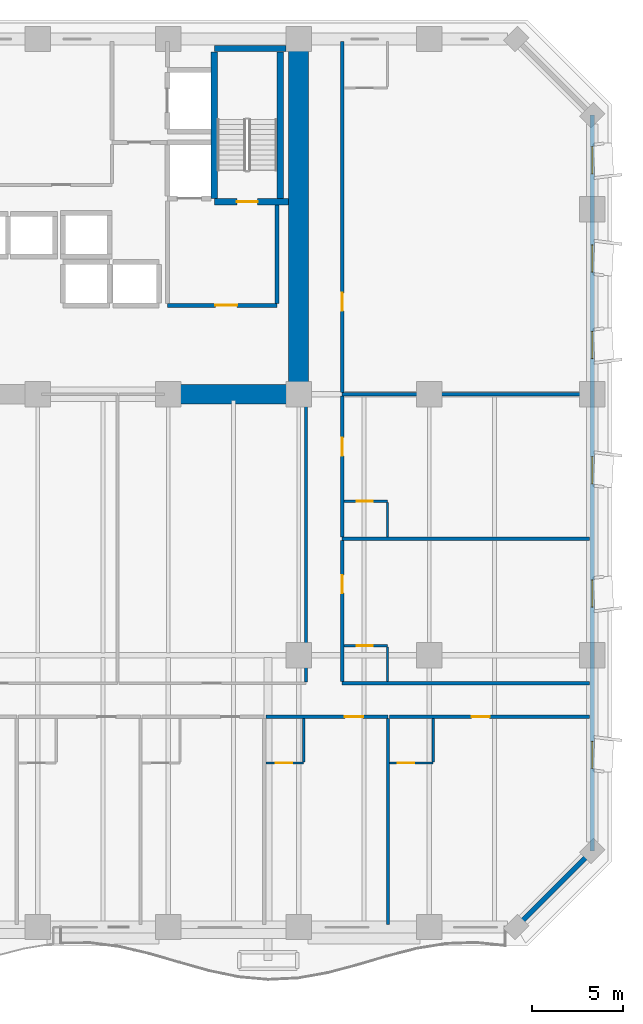
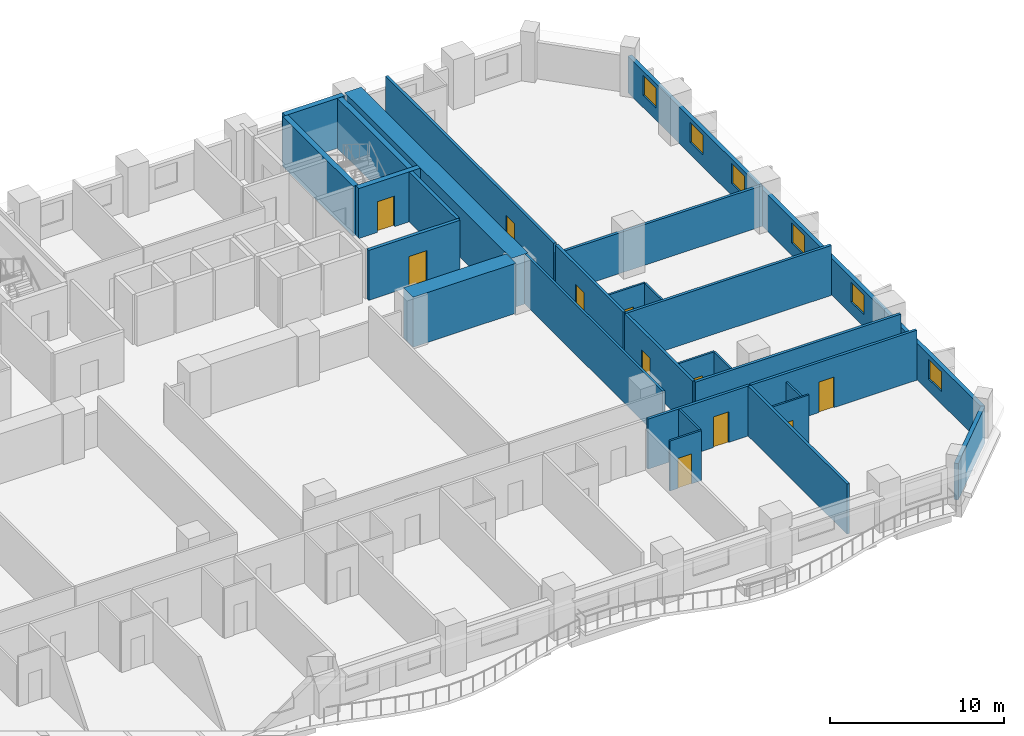
# One storey, part 10 of 15: 28 walls, 11 doors, 6 windows, 17 openings.
"""IFC4 building model written with IfcOpenShell, lengths in metres."""

from ifc_helpers import new_model, si_unit, direction, frame, frame_2d, origin, place, context, subcontext, project, spatial, rectangle, extrude, material, layer, layer_set, type_object, element, fill, save


model = new_model("IFC4")

# Units and contexts
model_context = context("Model", 3, precision=1e-05, world=origin(), true_north=direction((0.0, 1.0)))
body_context = subcontext(model_context, "Body", "Model", "MODEL_VIEW")
ifc_project = project(units=[si_unit("LENGTHUNIT", "METRE"), si_unit("AREAUNIT", "SQUARE_METRE"), si_unit("VOLUMEUNIT", "CUBIC_METRE"), si_unit("PLANEANGLEUNIT", "RADIAN"), si_unit("MASSUNIT", "GRAM", prefix="KILO")], contexts=[model_context])

# Site, building, storey
site_placement = place(None, origin())
site = spatial("IfcSite", under=ifc_project, at=site_placement, CompositionType="ELEMENT")
building_placement = place(site_placement, origin())
building = spatial("IfcBuilding", under=site, at=building_placement, Name="Kaelvorn Grand Hotel", CompositionType="ELEMENT")
storey_placement = place(building_placement, frame((0.0, 0.0, 50.14990234375)))
storey = spatial("IfcBuildingStorey", under=building, at=storey_placement, Name="L10", CompositionType="ELEMENT", Elevation=50.14990234375)

# Walls
ifc_material_1 = material(Name="Concrete C80/95", Category="concrete")
ifc_layer_1 = layer(ifc_material_1, 1.10009765625)
ifc_layer_set_1 = layer_set([ifc_layer_1], Name="Concrete C80/95")
wall_type_1 = type_object("IfcWallType", Name="WL-CORE-1100-C80", PredefinedType="SHEAR", material=ifc_layer_set_1)
wall_1_placement = place(storey_placement, frame((67.800048828125, 29.39990234375, 0.0), z_axis=(0.0, 0.0, 1.0), x_axis=(0.0, 1.0, 0.0)))
element("IfcWall", 1, at=wall_1_placement, inside=storey, type_object=wall_type_1, Name="L10 Rear-Core East Shear Wall", PredefinedType="SHEAR", context=body_context, shape_type="SweptSolid", body=[
    extrude(rectangle(XDim=19.2001953125, YDim=1.10009765625, at=frame_2d((9.60009765625, 0.0))), origin(), (0.0, 0.0, 1.0), 3.510009765625),
])
wall_2_placement = place(storey_placement, frame((60.39990234375, 29.39990234375, 0.0), z_axis=(0.0, 0.0, 1.0), x_axis=(1.0, 0.0, 0.0)))
element("IfcWall", 2, at=wall_2_placement, inside=storey, type_object=wall_type_1, Name="L10 Rear-Core Coupled Shear Pier S4", PredefinedType="SHEAR", context=body_context, shape_type="SweptSolid", body=[
    extrude(rectangle(XDim=6.84521484375, YDim=1.10009765625, at=frame_2d((3.422607421875, 0.0))), origin(), (0.0, 0.0, 1.0), 3.510009765625),
])
ifc_material_2 = material(Name="Concrete C40/50", Category="concrete")
ifc_layer_2 = layer(ifc_material_2, 0.260009765625)
ifc_layer_set_2 = layer_set([ifc_layer_2], Name="Concrete C40/50")
wall_type_2 = type_object("IfcWallType", Name="WL-EXT-260-C40", PredefinedType="SOLIDWALL", material=ifc_layer_set_2)
wall_3_placement = place(storey_placement, frame((79.800048828125, 0.0, 0.0), z_axis=(0.0, 0.0, 1.0), x_axis=(0.707106781187, 0.707106781187, 0.0)))
element("IfcWall", 3, at=wall_3_placement, inside=storey, type_object=wall_type_2, Name="L10 Exterior Architectural Concrete Wall 02", PredefinedType="SOLIDWALL", context=body_context, shape_type="SweptSolid", body=[
    extrude(rectangle(XDim=5.939697265625, YDim=0.260009765625, at=frame_2d((2.9697265625, 0.0))), origin(), (0.0, 0.0, 1.0), 2.56005859375),
])

# Wall, openings, windows
wall_4_placement = place(storey_placement, frame((84.0, 4.199951171875, 0.0), z_axis=(0.0, 0.0, 1.0), x_axis=(0.0, 1.0, 0.0)))
wall_4 = element("IfcWall", 4, at=wall_4_placement, inside=storey, type_object=wall_type_2, Name="L10 Exterior Architectural Concrete Wall 03", PredefinedType="SOLIDWALL", context=body_context, shape_type="SweptSolid", body=[
    extrude(rectangle(XDim=40.60009765625, YDim=0.260009765625, at=frame_2d((20.300048828125, 0.0))), origin(), (0.0, 0.0, 1.0), 2.56005859375),
])
opening_1_placement = place(wall_4_placement, frame((4.550048828125, 0.0, 0.85009765625)))
opening_1 = element("IfcOpeningElement", 5, at=opening_1_placement, cuts=wall_4, Name="Opening W10", PredefinedType="OPENING", context=body_context, shape_type="SweptSolid", body=[
    extrude(rectangle(XDim=1.5, YDim=1.39990234375, at=frame_2d((0.75, 0.699951171875))), frame((0.0, 0.14013671875, 0.0), z_axis=(0.0, -1.0, 0.0), x_axis=(1.0, 0.0, 0.0)), (0.0, 0.0, 1.0), 0.280029296875),
])
opening_2_placement = place(wall_4_placement, frame((13.4599609375, 0.0, 0.85009765625)))
opening_2 = element("IfcOpeningElement", 6, at=opening_2_placement, cuts=wall_4, Name="Opening W10", PredefinedType="OPENING", context=body_context, shape_type="SweptSolid", body=[
    extrude(rectangle(XDim=1.5, YDim=1.39990234375, at=frame_2d((0.75, 0.699951171875))), frame((0.0, 0.14013671875, 0.0), z_axis=(0.0, -1.0, 0.0), x_axis=(1.0, 0.0, 0.0)), (0.0, 0.0, 1.0), 0.280029296875),
])
opening_3_placement = place(wall_4_placement, frame((20.260009765625, 0.0, 0.85009765625)))
opening_3 = element("IfcOpeningElement", 7, at=opening_3_placement, cuts=wall_4, Name="Opening W10", PredefinedType="OPENING", context=body_context, shape_type="SweptSolid", body=[
    extrude(rectangle(XDim=1.5, YDim=1.39990234375, at=frame_2d((0.75, 0.699951171875))), frame((0.0, 0.14013671875, 0.0), z_axis=(0.0, -1.0, 0.0), x_axis=(1.0, 0.0, 0.0)), (0.0, 0.0, 1.0), 0.280029296875),
])
opening_4_placement = place(wall_4_placement, frame((27.1650390625, 0.0, 0.85009765625)))
opening_4 = element("IfcOpeningElement", 8, at=opening_4_placement, cuts=wall_4, Name="Opening W10", PredefinedType="OPENING", context=body_context, shape_type="SweptSolid", body=[
    extrude(rectangle(XDim=1.5, YDim=1.39990234375, at=frame_2d((0.75, 0.699951171875))), frame((0.0, 0.14013671875, 0.0), z_axis=(0.0, -1.0, 0.0), x_axis=(1.0, 0.0, 0.0)), (0.0, 0.0, 1.0), 0.280029296875),
])
opening_5_placement = place(wall_4_placement, frame((31.93505859375, 0.0, 0.85009765625)))
opening_5 = element("IfcOpeningElement", 9, at=opening_5_placement, cuts=wall_4, Name="Opening W10", PredefinedType="OPENING", context=body_context, shape_type="SweptSolid", body=[
    extrude(rectangle(XDim=1.5, YDim=1.39990234375, at=frame_2d((0.75, 0.699951171875))), frame((0.0, 0.14013671875, 0.0), z_axis=(0.0, -1.0, 0.0), x_axis=(1.0, 0.0, 0.0)), (0.0, 0.0, 1.0), 0.280029296875),
])
opening_6_placement = place(wall_4_placement, frame((37.364990234375, 0.0, 0.85009765625)))
opening_6 = element("IfcOpeningElement", 10, at=opening_6_placement, cuts=wall_4, Name="Opening W10", PredefinedType="OPENING", context=body_context, shape_type="SweptSolid", body=[
    extrude(rectangle(XDim=1.5, YDim=1.39990234375, at=frame_2d((0.75, 0.699951171875))), frame((0.0, 0.14013671875, 0.0), z_axis=(0.0, -1.0, 0.0), x_axis=(1.0, 0.0, 0.0)), (0.0, 0.0, 1.0), 0.280029296875),
])
ifc_material_3 = material(Name="Laminated Low-E Glass", Category="glass")
window_type = type_object("IfcWindowType", Name="WIN-COR-1500x1400", PartitioningType="SINGLE_PANEL", PredefinedType="WINDOW", material=ifc_material_3)
window_1_placement = place(opening_1_placement, origin())
window_1 = element("IfcWindow", 11, at=window_1_placement, inside=storey, type_object=window_type, Name="L10 E Wing Tilted-Frame Ribbon Window E01", OverallHeight=1.39990234375, OverallWidth=1.5, PartitioningType="SINGLE_PANEL", PredefinedType="WINDOW", context=body_context, shape_type="SweptSolid", body=[
    extrude(rectangle(XDim=1.5, YDim=1.39990234375, at=frame_2d((0.75, 0.699951171875))), frame((0.0, 0.030029296875, 0.0), z_axis=(0.0, -1.0, 0.0), x_axis=(1.0, 0.0, 0.0)), (0.0, 0.0, 1.0), 0.06005859375),
])
fill(opening_1, window_1)
window_2_placement = place(opening_2_placement, origin())
window_2 = element("IfcWindow", 12, at=window_2_placement, inside=storey, type_object=window_type, Name="L10 E Wing Tilted-Frame Ribbon Window E02", OverallHeight=1.39990234375, OverallWidth=1.5, PartitioningType="SINGLE_PANEL", PredefinedType="WINDOW", context=body_context, shape_type="SweptSolid", body=[
    extrude(rectangle(XDim=1.5, YDim=1.39990234375, at=frame_2d((0.75, 0.699951171875))), frame((0.0, 0.030029296875, 0.0), z_axis=(0.0, -1.0, 0.0), x_axis=(1.0, 0.0, 0.0)), (0.0, 0.0, 1.0), 0.06005859375),
])
fill(opening_2, window_2)
window_3_placement = place(opening_3_placement, origin())
window_3 = element("IfcWindow", 13, at=window_3_placement, inside=storey, type_object=window_type, Name="L10 E Wing Tilted-Frame Ribbon Window E03", OverallHeight=1.39990234375, OverallWidth=1.5, PartitioningType="SINGLE_PANEL", PredefinedType="WINDOW", context=body_context, shape_type="SweptSolid", body=[
    extrude(rectangle(XDim=1.5, YDim=1.39990234375, at=frame_2d((0.75, 0.699951171875))), frame((0.0, 0.030029296875, 0.0), z_axis=(0.0, -1.0, 0.0), x_axis=(1.0, 0.0, 0.0)), (0.0, 0.0, 1.0), 0.06005859375),
])
fill(opening_3, window_3)
window_4_placement = place(opening_4_placement, origin())
window_4 = element("IfcWindow", 14, at=window_4_placement, inside=storey, type_object=window_type, Name="L10 E Wing Tilted-Frame Ribbon Window E04", OverallHeight=1.39990234375, OverallWidth=1.5, PartitioningType="SINGLE_PANEL", PredefinedType="WINDOW", context=body_context, shape_type="SweptSolid", body=[
    extrude(rectangle(XDim=1.5, YDim=1.39990234375, at=frame_2d((0.75, 0.699951171875))), frame((0.0, 0.030029296875, 0.0), z_axis=(0.0, -1.0, 0.0), x_axis=(1.0, 0.0, 0.0)), (0.0, 0.0, 1.0), 0.06005859375),
])
fill(opening_4, window_4)
window_5_placement = place(opening_5_placement, origin())
window_5 = element("IfcWindow", 15, at=window_5_placement, inside=storey, type_object=window_type, Name="L10 E Wing Tilted-Frame Ribbon Window E05", OverallHeight=1.39990234375, OverallWidth=1.5, PartitioningType="SINGLE_PANEL", PredefinedType="WINDOW", context=body_context, shape_type="SweptSolid", body=[
    extrude(rectangle(XDim=1.5, YDim=1.39990234375, at=frame_2d((0.75, 0.699951171875))), frame((0.0, 0.030029296875, 0.0), z_axis=(0.0, -1.0, 0.0), x_axis=(1.0, 0.0, 0.0)), (0.0, 0.0, 1.0), 0.06005859375),
])
fill(opening_5, window_5)
window_6_placement = place(opening_6_placement, origin())
window_6 = element("IfcWindow", 16, at=window_6_placement, inside=storey, type_object=window_type, Name="L10 E Wing Tilted-Frame Ribbon Window E06", OverallHeight=1.39990234375, OverallWidth=1.5, PartitioningType="SINGLE_PANEL", PredefinedType="WINDOW", context=body_context, shape_type="SweptSolid", body=[
    extrude(rectangle(XDim=1.5, YDim=1.39990234375, at=frame_2d((0.75, 0.699951171875))), frame((0.0, 0.030029296875, 0.0), z_axis=(0.0, -1.0, 0.0), x_axis=(1.0, 0.0, 0.0)), (0.0, 0.0, 1.0), 0.06005859375),
])
fill(opening_6, window_6)

# Wall, opening, door
ifc_material_4 = material(Name="Moisture-Resistant Tile & Stud Board")
ifc_layer_3 = layer(ifc_material_4, 0.125)
ifc_layer_set_3 = layer_set([ifc_layer_3], Name="Moisture-Resistant Tile & Stud Board")
wall_type_3 = type_object("IfcWallType", Name="WL-PART-125-WET", PredefinedType="PARTITIONING", material=ifc_layer_set_3)
wall_5_placement = place(storey_placement, frame((65.990478515625, 9.050048828125, 0.0), z_axis=(0.0, 0.0, 1.0), x_axis=(1.0, 0.0, 0.0)))
wall_5 = element("IfcWall", 17, at=wall_5_placement, inside=storey, type_object=wall_type_3, Name="L10 En-suite Bathroom L10-10 S Partition", PredefinedType="PARTITIONING", context=body_context, shape_type="SweptSolid", body=[
    extrude(rectangle(XDim=2.0849609375, YDim=0.125, at=frame_2d((1.04248046875, 0.0))), origin(), (0.0, 0.0, 1.0), 3.510009765625),
])
opening_7_placement = place(wall_5_placement, frame((0.544921875, 0.0, 0.0)))
opening_7 = element("IfcOpeningElement", 18, at=opening_7_placement, cuts=wall_5, Name="Opening DI4", PredefinedType="OPENING", context=body_context, shape_type="SweptSolid", body=[
    extrude(rectangle(XDim=0.89990234375, YDim=2.10009765625, at=frame_2d((0.449951171875, 1.050048828125))), frame((0.0, 0.072509765625, 0.0), z_axis=(0.0, -1.0, 0.0), x_axis=(1.0, 0.0, 0.0)), (0.0, 0.0, 1.0), 0.14501953125),
])
ifc_material_5 = material(Name="Timber Veneer Leaf", Category="wood")
door_type_1 = type_object("IfcDoorType", Name="DR-INT-BATH-900x2100", OperationType="NOTDEFINED", PredefinedType="DOOR", material=ifc_material_5)
door_1_placement = place(opening_7_placement, origin())
door_1 = element("IfcDoor", 19, at=door_1_placement, inside=storey, type_object=door_type_1, Name="L10 En-suite Bathroom L10-10 Door", OperationType="SINGLE_SWING_LEFT", OverallHeight=2.10009765625, OverallWidth=0.89990234375, PredefinedType="DOOR", context=body_context, shape_type="SweptSolid", body=[
    extrude(rectangle(XDim=0.89990234375, YDim=2.10009765625, at=frame_2d((0.449951171875, 1.050048828125))), frame((0.0, 0.02490234375, 0.0), z_axis=(0.0, -1.0, 0.0), x_axis=(1.0, 0.0, 0.0)), (0.0, 0.0, 1.0), 0.050048828125),
])
fill(opening_7, door_1)

# Wall
wall_6_placement = place(storey_placement, frame((68.075439453125, 9.117431640625, 0.0), z_axis=(0.0, 0.0, 1.0), x_axis=(0.0, 1.0, 0.0)))
element("IfcWall", 20, at=wall_6_placement, inside=storey, type_object=wall_type_3, Name="L10 En-suite Bathroom L10-10 E Partition", PredefinedType="PARTITIONING", context=body_context, shape_type="SweptSolid", body=[
    extrude(rectangle(XDim=2.387451171875, YDim=0.125, at=frame_2d((1.19384765625, 0.0))), origin(), (0.0, 0.0, 1.0), 3.510009765625),
])

# Wall, opening, door
wall_7_placement = place(storey_placement, frame((72.817626953125, 9.050048828125, 0.0), z_axis=(0.0, 0.0, 1.0), x_axis=(1.0, 0.0, 0.0)))
wall_7 = element("IfcWall", 21, at=wall_7_placement, inside=storey, type_object=wall_type_3, Name="L10 En-suite Bathroom L10-11 S Partition", PredefinedType="PARTITIONING", context=body_context, shape_type="SweptSolid", body=[
    extrude(rectangle(XDim=2.405029296875, YDim=0.125, at=frame_2d((1.20263671875, 0.0))), origin(), (0.0, 0.0, 1.0), 3.510009765625),
])
opening_8_placement = place(wall_7_placement, frame((0.455078125, 0.0, 0.0)))
opening_8 = element("IfcOpeningElement", 22, at=opening_8_placement, cuts=wall_7, Name="Opening DI4", PredefinedType="OPENING", context=body_context, shape_type="SweptSolid", body=[
    extrude(rectangle(XDim=0.89990234375, YDim=2.10009765625, at=frame_2d((0.449951171875, 1.050048828125))), frame((0.0, 0.072509765625, 0.0), z_axis=(0.0, -1.0, 0.0), x_axis=(1.0, 0.0, 0.0)), (0.0, 0.0, 1.0), 0.14501953125),
])
door_2_placement = place(opening_8_placement, origin())
door_2 = element("IfcDoor", 23, at=door_2_placement, inside=storey, type_object=door_type_1, Name="L10 En-suite Bathroom L10-11 Door", OperationType="SINGLE_SWING_LEFT", OverallHeight=2.10009765625, OverallWidth=0.89990234375, PredefinedType="DOOR", context=body_context, shape_type="SweptSolid", body=[
    extrude(rectangle(XDim=0.89990234375, YDim=2.10009765625, at=frame_2d((0.449951171875, 1.050048828125))), frame((0.0, 0.02490234375, 0.0), z_axis=(0.0, -1.0, 0.0), x_axis=(1.0, 0.0, 0.0)), (0.0, 0.0, 1.0), 0.050048828125),
])
fill(opening_8, door_2)

# Wall
wall_8_placement = place(storey_placement, frame((75.22265625, 9.117431640625, 0.0), z_axis=(0.0, 0.0, 1.0), x_axis=(0.0, 1.0, 0.0)))
element("IfcWall", 24, at=wall_8_placement, inside=storey, type_object=wall_type_3, Name="L10 En-suite Bathroom L10-11 E Partition", PredefinedType="PARTITIONING", context=body_context, shape_type="SweptSolid", body=[
    extrude(rectangle(XDim=2.387451171875, YDim=0.125, at=frame_2d((1.19384765625, 0.0))), origin(), (0.0, 0.0, 1.0), 2.89794921875),
])

# Wall, opening, door
wall_9_placement = place(storey_placement, frame((70.294921875, 15.52001953125, 0.0), z_axis=(0.0, 0.0, 1.0), x_axis=(1.0, 0.0, 0.0)))
wall_9 = element("IfcWall", 25, at=wall_9_placement, inside=storey, type_object=wall_type_3, Name="L10 En-suite Bathroom L10-14 N Partition", PredefinedType="PARTITIONING", context=body_context, shape_type="SweptSolid", body=[
    extrude(rectangle(XDim=2.405029296875, YDim=0.125, at=frame_2d((1.20263671875, 0.0))), origin(), (0.0, 0.0, 1.0), 3.510009765625),
])
opening_9_placement = place(wall_9_placement, frame((0.705078125, 0.0, 0.0)))
opening_9 = element("IfcOpeningElement", 26, at=opening_9_placement, cuts=wall_9, Name="Opening DI4", PredefinedType="OPENING", context=body_context, shape_type="SweptSolid", body=[
    extrude(rectangle(XDim=0.89990234375, YDim=2.10009765625, at=frame_2d((0.449951171875, 1.050048828125))), frame((0.0, 0.072509765625, 0.0), z_axis=(0.0, -1.0, 0.0), x_axis=(1.0, 0.0, 0.0)), (0.0, 0.0, 1.0), 0.14501953125),
])
door_3_placement = place(opening_9_placement, origin())
door_3 = element("IfcDoor", 27, at=door_3_placement, inside=storey, type_object=door_type_1, Name="L10 En-suite Bathroom L10-14 Door", OperationType="SINGLE_SWING_LEFT", OverallHeight=2.10009765625, OverallWidth=0.89990234375, PredefinedType="DOOR", context=body_context, shape_type="SweptSolid", body=[
    extrude(rectangle(XDim=0.89990234375, YDim=2.10009765625, at=frame_2d((0.449951171875, 1.050048828125))), frame((0.0, 0.02490234375, 0.0), z_axis=(0.0, -1.0, 0.0), x_axis=(1.0, 0.0, 0.0)), (0.0, 0.0, 1.0), 0.050048828125),
])
fill(opening_9, door_3)

# Wall
wall_10_placement = place(storey_placement, frame((72.699951171875, 13.544921875, 0.0), z_axis=(0.0, 0.0, 1.0), x_axis=(0.0, 1.0, 0.0)))
element("IfcWall", 28, at=wall_10_placement, inside=storey, type_object=wall_type_3, Name="L10 En-suite Bathroom L10-14 E Partition", PredefinedType="PARTITIONING", context=body_context, shape_type="SweptSolid", body=[
    extrude(rectangle(XDim=1.907470703125, YDim=0.125, at=frame_2d((0.95361328125, 0.0))), origin(), (0.0, 0.0, 1.0), 3.510009765625),
])

# Wall, opening, door
wall_11_placement = place(storey_placement, frame((70.294921875, 23.489990234375, 0.0), z_axis=(0.0, 0.0, 1.0), x_axis=(1.0, 0.0, 0.0)))
wall_11 = element("IfcWall", 29, at=wall_11_placement, inside=storey, type_object=wall_type_3, Name="L10 En-suite Bathroom L10-15 N Partition", PredefinedType="PARTITIONING", context=body_context, shape_type="SweptSolid", body=[
    extrude(rectangle(XDim=2.405029296875, YDim=0.125, at=frame_2d((1.20263671875, 0.0))), origin(), (0.0, 0.0, 1.0), 3.510009765625),
])
opening_10_placement = place(wall_11_placement, frame((0.705078125, 0.0, 0.0)))
opening_10 = element("IfcOpeningElement", 30, at=opening_10_placement, cuts=wall_11, Name="Opening DI4", PredefinedType="OPENING", context=body_context, shape_type="SweptSolid", body=[
    extrude(rectangle(XDim=0.89990234375, YDim=2.10009765625, at=frame_2d((0.449951171875, 1.050048828125))), frame((0.0, 0.072509765625, 0.0), z_axis=(0.0, -1.0, 0.0), x_axis=(1.0, 0.0, 0.0)), (0.0, 0.0, 1.0), 0.14501953125),
])
door_4_placement = place(opening_10_placement, origin())
door_4 = element("IfcDoor", 31, at=door_4_placement, inside=storey, type_object=door_type_1, Name="L10 En-suite Bathroom L10-15 Door", OperationType="SINGLE_SWING_LEFT", OverallHeight=2.10009765625, OverallWidth=0.89990234375, PredefinedType="DOOR", context=body_context, shape_type="SweptSolid", body=[
    extrude(rectangle(XDim=0.89990234375, YDim=2.10009765625, at=frame_2d((0.449951171875, 1.050048828125))), frame((0.0, 0.02490234375, 0.0), z_axis=(0.0, -1.0, 0.0), x_axis=(1.0, 0.0, 0.0)), (0.0, 0.0, 1.0), 0.050048828125),
])
fill(opening_10, door_4)

# Walls
wall_12_placement = place(storey_placement, frame((72.699951171875, 21.514892578125, 0.0), z_axis=(0.0, 0.0, 1.0), x_axis=(0.0, 1.0, 0.0)))
element("IfcWall", 32, at=wall_12_placement, inside=storey, type_object=wall_type_3, Name="L10 En-suite Bathroom L10-15 E Partition", PredefinedType="PARTITIONING", context=body_context, shape_type="SweptSolid", body=[
    extrude(rectangle(XDim=1.90771484375, YDim=0.125, at=frame_2d((0.953857421875, 0.0))), origin(), (0.0, 0.0, 1.0), 3.510009765625),
])
ifc_material_6 = material(Name="Acoustic Gypsum & Stud Partition")
ifc_layer_4 = layer(ifc_material_6, 0.14990234375)
ifc_layer_set_4 = layer_set([ifc_layer_4], Name="Acoustic Gypsum & Stud Partition")
wall_type_4 = type_object("IfcWallType", Name="WL-PART-150-EI60", PredefinedType="PARTITIONING", material=ifc_layer_set_4)
wall_13_placement = place(storey_placement, frame((68.199951171875, 13.530029296875, 0.0), z_axis=(0.0, 0.0, 1.0), x_axis=(0.0, 1.0, 0.0)))
element("IfcWall", 33, at=wall_13_placement, inside=storey, type_object=wall_type_4, Name="L10 Concierge Admin Office E Partition", PredefinedType="PARTITIONING", context=body_context, shape_type="SweptSolid", body=[
    extrude(rectangle(XDim=15.85986328125, YDim=0.14990234375, at=frame_2d((7.929931640625, 0.0))), origin(), (0.0, 0.0, 1.0), 3.510009765625),
])

# Wall, opening, door
ifc_layer_5 = layer(ifc_material_6, 0.179931640625)
ifc_layer_set_5 = layer_set([ifc_layer_5], Name="Acoustic Gypsum & Stud Partition")
wall_type_5 = type_object("IfcWallType", Name="WL-PART-180-EI60", PredefinedType="PARTITIONING", material=ifc_layer_set_5)
wall_14_placement = place(storey_placement, frame((65.990478515625, 11.60009765625, 0.0), z_axis=(0.0, 0.0, 1.0), x_axis=(1.0, 0.0, 0.0)))
wall_14 = element("IfcWall", 34, at=wall_14_placement, inside=storey, type_object=wall_type_5, Name="L10 Deluxe Panoramic Suite L10-10 N Partition", PredefinedType="PARTITIONING", context=body_context, shape_type="SweptSolid", body=[
    extrude(rectangle(XDim=6.732177734375, YDim=0.179931640625, at=frame_2d((3.3662109375, 0.0))), origin(), (0.0, 0.0, 1.0), 3.510009765625),
])
opening_11_placement = place(wall_14_placement, frame((4.358642578125, 0.0, 0.0)))
opening_11 = element("IfcOpeningElement", 35, at=opening_11_placement, cuts=wall_14, Name="Opening DI3", PredefinedType="OPENING", context=body_context, shape_type="SweptSolid", body=[
    extrude(rectangle(XDim=1.0, YDim=2.14990234375, at=frame_2d((0.5, 1.074951171875))), frame((0.0, 0.10009765625, 0.0), z_axis=(0.0, -1.0, 0.0), x_axis=(1.0, 0.0, 0.0)), (0.0, 0.0, 1.0), 0.199951171875),
])
ifc_material_7 = material(Name="Timber Veneer Fire Leaf", Category="wood")
door_type_2 = type_object("IfcDoorType", Name="DR-INT-GUEST-1000x2150", OperationType="NOTDEFINED", PredefinedType="DOOR", material=ifc_material_7)
door_5_placement = place(opening_11_placement, origin())
door_5 = element("IfcDoor", 36, at=door_5_placement, inside=storey, type_object=door_type_2, Name="L10 Deluxe Panoramic Suite L10-10 Door", OperationType="SINGLE_SWING_RIGHT", OverallHeight=2.14990234375, OverallWidth=1.0, PredefinedType="DOOR", context=body_context, shape_type="SweptSolid", body=[
    extrude(rectangle(XDim=1.0, YDim=2.14990234375, at=frame_2d((0.5, 1.074951171875))), frame((0.0, 0.02490234375, 0.0), z_axis=(0.0, -1.0, 0.0), x_axis=(1.0, 0.0, 0.0)), (0.0, 0.0, 1.0), 0.050048828125),
])
fill(opening_11, door_5)

# Wall
wall_15_placement = place(storey_placement, frame((72.72265625, 0.14990234375, 0.0), z_axis=(0.0, 0.0, 1.0), x_axis=(0.0, 1.0, 0.0)))
element("IfcWall", 37, at=wall_15_placement, inside=storey, type_object=wall_type_5, Name="L10 Deluxe Panoramic Suite L10-10 E Partition", PredefinedType="PARTITIONING", context=body_context, shape_type="SweptSolid", body=[
    extrude(rectangle(XDim=11.35498046875, YDim=0.179931640625, at=frame_2d((5.677490234375, 0.0))), origin(), (0.0, 0.0, 1.0), 3.510009765625),
])

# Wall, opening, door
wall_16_placement = place(storey_placement, frame((72.817626953125, 11.60009765625, 0.0), z_axis=(0.0, 0.0, 1.0), x_axis=(1.0, 0.0, 0.0)))
wall_16 = element("IfcWall", 38, at=wall_16_placement, inside=storey, type_object=wall_type_5, Name="L10 Deluxe Panoramic Suite L10-11 N Partition", PredefinedType="PARTITIONING", context=body_context, shape_type="SweptSolid", body=[
    extrude(rectangle(XDim=11.032470703125, YDim=0.179931640625, at=frame_2d((5.51611328125, 0.0))), origin(), (0.0, 0.0, 1.0), 3.510009765625),
])
opening_12_placement = place(wall_16_placement, frame((4.5185546875, 0.0, 0.0)))
opening_12 = element("IfcOpeningElement", 39, at=opening_12_placement, cuts=wall_16, Name="Opening DI3", PredefinedType="OPENING", context=body_context, shape_type="SweptSolid", body=[
    extrude(rectangle(XDim=1.0, YDim=2.14990234375, at=frame_2d((0.5, 1.074951171875))), frame((0.0, 0.10009765625, 0.0), z_axis=(0.0, -1.0, 0.0), x_axis=(1.0, 0.0, 0.0)), (0.0, 0.0, 1.0), 0.199951171875),
])
door_6_placement = place(opening_12_placement, origin())
door_6 = element("IfcDoor", 40, at=door_6_placement, inside=storey, type_object=door_type_2, Name="L10 Deluxe Panoramic Suite L10-11 Door", OperationType="SINGLE_SWING_RIGHT", OverallHeight=2.14990234375, OverallWidth=1.0, PredefinedType="DOOR", context=body_context, shape_type="SweptSolid", body=[
    extrude(rectangle(XDim=1.0, YDim=2.14990234375, at=frame_2d((0.5, 1.074951171875))), frame((0.0, 0.02490234375, 0.0), z_axis=(0.0, -1.0, 0.0), x_axis=(1.0, 0.0, 0.0)), (0.0, 0.0, 1.0), 0.050048828125),
])
fill(opening_12, door_6)

# Walls
for number, where, z_axis, x_axis, name in (
    (41, (70.199951171875, 13.449951171875, 0.0), (0.0, 0.0, 1.0), (1.0, 0.0, 0.0), "L10 East Wing Panoramic Suite L10-14 S Partition"),
    (42, (70.199951171875, 21.419921875, 0.0), (0.0, 0.0, 1.0), (1.0, 0.0, 0.0), "L10 East Wing Panoramic Suite L10-14 N Partition"),
):
    element("IfcWall", number, at=place(storey_placement, frame(where, z_axis=z_axis, x_axis=x_axis)), inside=storey, type_object=wall_type_5, Name=name, PredefinedType="PARTITIONING", context=body_context, shape_type="SweptSolid", body=[
        extrude(rectangle(XDim=13.650146484375, YDim=0.179931640625, at=frame_2d((6.8251953125, 0.0))), origin(), (0.0, 0.0, 1.0), 3.510009765625),
    ])

# Wall, opening, door
wall_17_placement = place(storey_placement, frame((70.199951171875, 13.544921875, 0.0), z_axis=(0.0, 0.0, 1.0), x_axis=(0.0, 1.0, 0.0)))
wall_17 = element("IfcWall", 43, at=wall_17_placement, inside=storey, type_object=wall_type_5, Name="L10 East Wing Panoramic Suite L10-14 W Partition", PredefinedType="PARTITIONING", context=body_context, shape_type="SweptSolid", body=[
    extrude(rectangle(XDim=7.780029296875, YDim=0.179931640625, at=frame_2d((3.89013671875, 0.0))), origin(), (0.0, 0.0, 1.0), 3.510009765625),
])
opening_13_placement = place(wall_17_placement, frame((4.875, 0.0, 0.0)))
opening_13 = element("IfcOpeningElement", 44, at=opening_13_placement, cuts=wall_17, Name="Opening DI3", PredefinedType="OPENING", context=body_context, shape_type="SweptSolid", body=[
    extrude(rectangle(XDim=1.0, YDim=2.14990234375, at=frame_2d((0.5, 1.074951171875))), frame((0.0, 0.10009765625, 0.0), z_axis=(0.0, -1.0, 0.0), x_axis=(1.0, 0.0, 0.0)), (0.0, 0.0, 1.0), 0.199951171875),
])
door_7_placement = place(opening_13_placement, origin())
door_7 = element("IfcDoor", 45, at=door_7_placement, inside=storey, type_object=door_type_2, Name="L10 East Wing Panoramic Suite L10-14 Door", OperationType="SINGLE_SWING_RIGHT", OverallHeight=2.14990234375, OverallWidth=1.0, PredefinedType="DOOR", context=body_context, shape_type="SweptSolid", body=[
    extrude(rectangle(XDim=1.0, YDim=2.14990234375, at=frame_2d((0.5, 1.074951171875))), frame((0.0, 0.02490234375, 0.0), z_axis=(0.0, -1.0, 0.0), x_axis=(1.0, 0.0, 0.0)), (0.0, 0.0, 1.0), 0.050048828125),
])
fill(opening_13, door_7)

# Wall
wall_18_placement = place(storey_placement, frame((70.199951171875, 29.39990234375, 0.0), z_axis=(0.0, 0.0, 1.0), x_axis=(1.0, 0.0, 0.0)))
element("IfcWall", 46, at=wall_18_placement, inside=storey, type_object=wall_type_5, Name="L10 East Mid-Wing Suite L10-15 N Partition", PredefinedType="PARTITIONING", context=body_context, shape_type="SweptSolid", body=[
    extrude(rectangle(XDim=13.650146484375, YDim=0.179931640625, at=frame_2d((6.8251953125, 0.0))), origin(), (0.0, 0.0, 1.0), 2.860107421875),
])

# Wall, opening, door
wall_19_placement = place(storey_placement, frame((70.199951171875, 21.514892578125, 0.0), z_axis=(0.0, 0.0, 1.0), x_axis=(0.0, 1.0, 0.0)))
wall_19 = element("IfcWall", 47, at=wall_19_placement, inside=storey, type_object=wall_type_5, Name="L10 East Mid-Wing Suite L10-15 W Partition", PredefinedType="PARTITIONING", context=body_context, shape_type="SweptSolid", body=[
    extrude(rectangle(XDim=7.7900390625, YDim=0.179931640625, at=frame_2d((3.89501953125, 0.0))), origin(), (0.0, 0.0, 1.0), 3.510009765625),
])
opening_14_placement = place(wall_19_placement, frame((4.489990234375, 0.0, 0.0)))
opening_14 = element("IfcOpeningElement", 48, at=opening_14_placement, cuts=wall_19, Name="Opening DI3", PredefinedType="OPENING", context=body_context, shape_type="SweptSolid", body=[
    extrude(rectangle(XDim=1.0, YDim=2.14990234375, at=frame_2d((0.5, 1.074951171875))), frame((0.0, 0.10009765625, 0.0), z_axis=(0.0, -1.0, 0.0), x_axis=(1.0, 0.0, 0.0)), (0.0, 0.0, 1.0), 0.199951171875),
])
door_8_placement = place(opening_14_placement, origin())
door_8 = element("IfcDoor", 49, at=door_8_placement, inside=storey, type_object=door_type_2, Name="L10 East Mid-Wing Suite L10-15 Door", OperationType="SINGLE_SWING_RIGHT", OverallHeight=2.14990234375, OverallWidth=1.0, PredefinedType="DOOR", context=body_context, shape_type="SweptSolid", body=[
    extrude(rectangle(XDim=1.0, YDim=2.14990234375, at=frame_2d((0.5, 1.074951171875))), frame((0.0, 0.02490234375, 0.0), z_axis=(0.0, -1.0, 0.0), x_axis=(1.0, 0.0, 0.0)), (0.0, 0.0, 1.0), 0.050048828125),
])
fill(opening_14, door_8)

wall_20_placement = place(storey_placement, frame((70.199951171875, 29.4951171875, 0.0), z_axis=(0.0, 0.0, 1.0), x_axis=(0.0, 1.0, 0.0)))
wall_20 = element("IfcWall", 50, at=wall_20_placement, inside=storey, type_object=wall_type_5, Name="L10 Presidential Sky Suite L10-16 W Partition", PredefinedType="PARTITIONING", context=body_context, shape_type="SweptSolid", body=[
    extrude(rectangle(XDim=19.35498046875, YDim=0.179931640625, at=frame_2d((9.677490234375, 0.0))), origin(), (0.0, 0.0, 1.0), 3.510009765625),
])
opening_15_placement = place(wall_20_placement, frame((4.5048828125, 0.0, 0.0)))
opening_15 = element("IfcOpeningElement", 51, at=opening_15_placement, cuts=wall_20, Name="Opening DI3", PredefinedType="OPENING", context=body_context, shape_type="SweptSolid", body=[
    extrude(rectangle(XDim=1.0, YDim=2.14990234375, at=frame_2d((0.5, 1.074951171875))), frame((0.0, 0.10009765625, 0.0), z_axis=(0.0, -1.0, 0.0), x_axis=(1.0, 0.0, 0.0)), (0.0, 0.0, 1.0), 0.199951171875),
])
door_9_placement = place(opening_15_placement, origin())
door_9 = element("IfcDoor", 52, at=door_9_placement, inside=storey, type_object=door_type_2, Name="L10 Presidential Sky Suite L10-16 Door", OperationType="SINGLE_SWING_RIGHT", OverallHeight=2.14990234375, OverallWidth=1.0, PredefinedType="DOOR", context=body_context, shape_type="SweptSolid", body=[
    extrude(rectangle(XDim=1.0, YDim=2.14990234375, at=frame_2d((0.5, 1.074951171875))), frame((0.0, 0.02490234375, 0.0), z_axis=(0.0, -1.0, 0.0), x_axis=(1.0, 0.0, 0.0)), (0.0, 0.0, 1.0), 0.050048828125),
])
fill(opening_15, door_9)

ifc_layer_6 = layer(ifc_material_2, 0.219970703125)
ifc_layer_set_6 = layer_set([ifc_layer_6], Name="Concrete C40/50")
wall_type_6 = type_object("IfcWallType", Name="WL-PART-220-EI120", PredefinedType="PARTITIONING", material=ifc_layer_set_6)
wall_21_placement = place(storey_placement, frame((60.550048828125, 34.300048828125, 0.0), z_axis=(0.0, 0.0, 1.0), x_axis=(1.0, 0.0, 0.0)))
wall_21 = element("IfcWall", 53, at=wall_21_placement, inside=storey, type_object=wall_type_6, Name="L10 Firefighting Lift Lobby 2 S Partition", PredefinedType="PARTITIONING", context=body_context, shape_type="SweptSolid", body=[
    extrude(rectangle(XDim=6.050048828125, YDim=0.219970703125, at=frame_2d((3.02490234375, 0.0))), origin(), (0.0, 0.0, 1.0), 3.510009765625),
])
opening_16_placement = place(wall_21_placement, frame((2.64990234375, 0.0, 0.0)))
opening_16 = element("IfcOpeningElement", 54, at=opening_16_placement, cuts=wall_21, Name="Opening DI2", PredefinedType="OPENING", context=body_context, shape_type="SweptSolid", body=[
    extrude(rectangle(XDim=1.199951171875, YDim=2.14990234375, at=frame_2d((0.60009765625, 1.074951171875))), frame((0.0, 0.1201171875, 0.0), z_axis=(0.0, -1.0, 0.0), x_axis=(1.0, 0.0, 0.0)), (0.0, 0.0, 1.0), 0.239990234375),
])
door_type_3 = type_object("IfcDoorType", Name="DR-INT-FFLOB-1200x2150", OperationType="NOTDEFINED", PredefinedType="DOOR", material=ifc_material_7)
door_10_placement = place(opening_16_placement, origin())
door_10 = element("IfcDoor", 55, at=door_10_placement, inside=storey, type_object=door_type_3, Name="L10 Firefighting Lift Lobby 2 Door", OperationType="SINGLE_SWING_LEFT", OverallHeight=2.14990234375, OverallWidth=1.199951171875, PredefinedType="DOOR", context=body_context, shape_type="SweptSolid", body=[
    extrude(rectangle(XDim=1.199951171875, YDim=2.14990234375, at=frame_2d((0.60009765625, 1.074951171875))), frame((0.0, 0.02490234375, 0.0), z_axis=(0.0, -1.0, 0.0), x_axis=(1.0, 0.0, 0.0)), (0.0, 0.0, 1.0), 0.050048828125),
])
fill(opening_16, door_10)

# Wall
wall_22_placement = place(storey_placement, frame((66.60009765625, 34.4150390625, 0.0), z_axis=(0.0, 0.0, 1.0), x_axis=(0.0, 1.0, 0.0)))
element("IfcWall", 56, at=wall_22_placement, inside=storey, type_object=wall_type_6, Name="L10 Firefighting Lift Lobby 2 E Partition", PredefinedType="PARTITIONING", context=body_context, shape_type="SweptSolid", body=[
    extrude(rectangle(XDim=5.429931640625, YDim=0.219970703125, at=frame_2d((2.71484375, 0.0))), origin(), (0.0, 0.0, 1.0), 3.510009765625),
])

# Wall, opening, door
ifc_material_8 = material(Name="Concrete C60/75", Category="concrete")
ifc_layer_7 = layer(ifc_material_8, 0.35009765625)
ifc_layer_set_7 = layer_set([ifc_layer_7], Name="Concrete C60/75")
wall_type_7 = type_object("IfcWallType", Name="WL-SHAFT-350-C60", PredefinedType="SHEAR", material=ifc_layer_set_7)
wall_23_placement = place(storey_placement, frame((63.14501953125, 40.02490234375, 0.0), z_axis=(0.0, 0.0, 1.0), x_axis=(1.0, 0.0, 0.0)))
wall_23 = element("IfcWall", 57, at=wall_23_placement, inside=storey, type_object=wall_type_7, Name="L10 ST3 Stair Shaft South Wall", PredefinedType="SHEAR", context=body_context, shape_type="SweptSolid", body=[
    extrude(rectangle(XDim=4.10009765625, YDim=0.35009765625, at=frame_2d((2.050048828125, 0.0))), origin(), (0.0, 0.0, 1.0), 3.510009765625),
])
opening_17_placement = place(wall_23_placement, frame((1.239990234375, 0.0, 0.0)))
opening_17 = element("IfcOpeningElement", 58, at=opening_17_placement, cuts=wall_23, Name="Opening DI1", PredefinedType="OPENING", context=body_context, shape_type="SweptSolid", body=[
    extrude(rectangle(XDim=1.14990234375, YDim=2.14990234375, at=frame_2d((0.574951171875, 1.074951171875))), frame((0.0, 0.18505859375, 0.0), z_axis=(0.0, -1.0, 0.0), x_axis=(1.0, 0.0, 0.0)), (0.0, 0.0, 1.0), 0.3701171875),
])
door_type_4 = type_object("IfcDoorType", Name="DR-INT-STAIR-1150x2150", OperationType="NOTDEFINED", PredefinedType="DOOR", material=ifc_material_7)
door_11_placement = place(opening_17_placement, origin())
door_11 = element("IfcDoor", 59, at=door_11_placement, inside=storey, type_object=door_type_4, Name="L10 ST3 Exit Stair Fire Door", OperationType="SINGLE_SWING_LEFT", OverallHeight=2.14990234375, OverallWidth=1.14990234375, PredefinedType="DOOR", context=body_context, shape_type="SweptSolid", body=[
    extrude(rectangle(XDim=1.14990234375, YDim=2.14990234375, at=frame_2d((0.574951171875, 1.074951171875))), frame((0.0, 0.02490234375, 0.0), z_axis=(0.0, -1.0, 0.0), x_axis=(1.0, 0.0, 0.0)), (0.0, 0.0, 1.0), 0.050048828125),
])
fill(opening_17, door_11)

# Walls
wall_24_placement = place(storey_placement, frame((63.14501953125, 48.47509765625, 0.0), z_axis=(0.0, 0.0, 1.0), x_axis=(1.0, 0.0, 0.0)))
element("IfcWall", 60, at=wall_24_placement, inside=storey, type_object=wall_type_7, Name="L10 ST3 Stair Shaft North Wall", PredefinedType="SHEAR", context=body_context, shape_type="SweptSolid", body=[
    extrude(rectangle(XDim=3.949951171875, YDim=0.35009765625, at=frame_2d((1.97509765625, 0.0))), origin(), (0.0, 0.0, 1.0), 3.510009765625),
])
for number, where, z_axis, x_axis, name in (
    (61, (63.14501953125, 40.205078125, 0.0), (0.0, 0.0, 1.0), (0.0, 1.0, 0.0), "L10 ST3 Stair Shaft West Wall"),
    (62, (66.77490234375, 40.205078125, 0.0), (0.0, 0.0, 1.0), (0.0, 1.0, 0.0), "L10 ST3 Stair Shaft East Wall"),
):
    element("IfcWall", number, at=place(storey_placement, frame(where, z_axis=z_axis, x_axis=x_axis)), inside=storey, type_object=wall_type_7, Name=name, PredefinedType="SHEAR", context=body_context, shape_type="SweptSolid", body=[
        extrude(rectangle(XDim=8.08984375, YDim=0.35009765625, at=frame_2d((4.044921875, 0.0))), origin(), (0.0, 0.0, 1.0), 3.510009765625),
    ])

save(model, "model.ifc")
